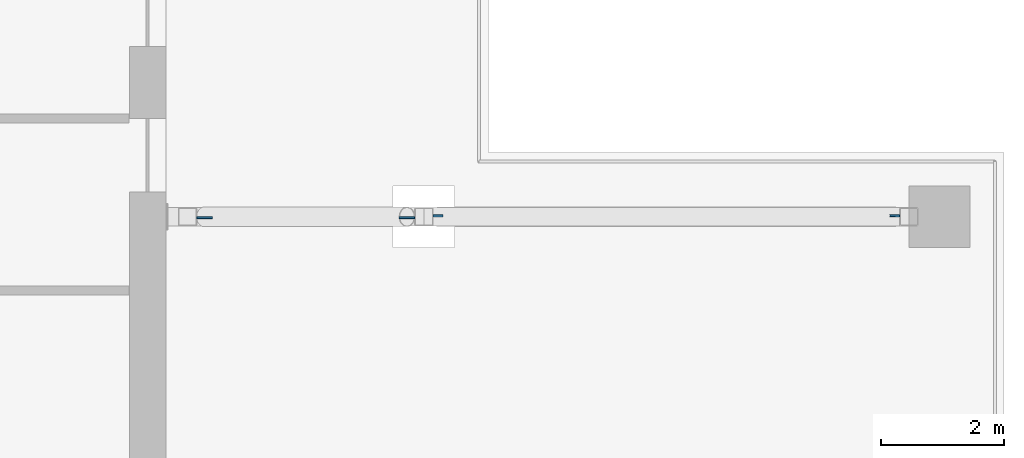
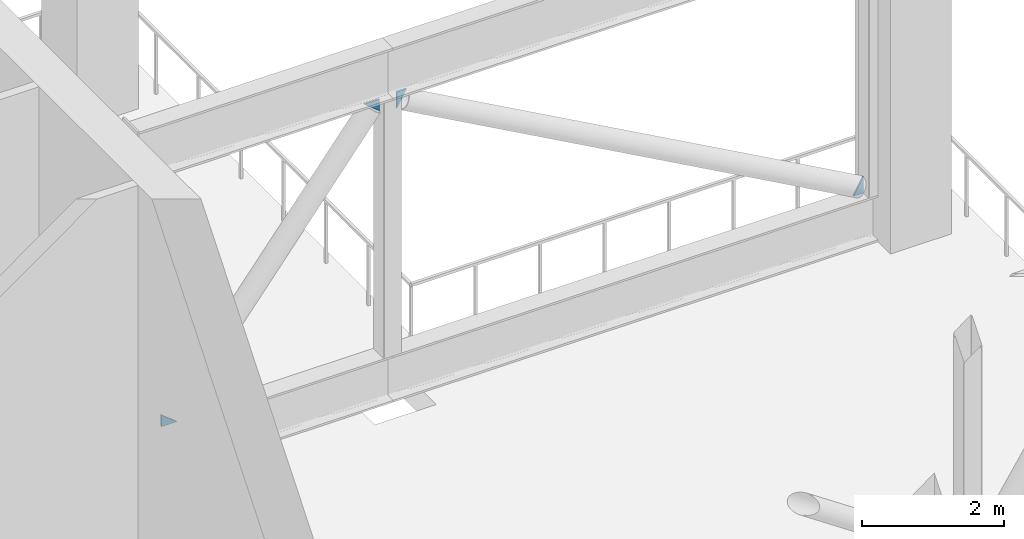
# One storey, part 16 of 24: 4 plates.
"""IFC4 building model written with IfcOpenShell, lengths in metres."""

from ifc_helpers import new_model, si_unit, direction, frame, origin, place, context, subcontext, project, spatial, polyline, outline, extrude, material, layer, layer_set, type_object, element, save


model = new_model("IFC4")

# Units and contexts
model_context = context("Model", 3, precision=1e-05, world=origin(), true_north=direction((0.0, 1.0)))
body_context = subcontext(model_context, "Body", "Model", "MODEL_VIEW")
ifc_project = project(units=[si_unit("LENGTHUNIT", "METRE"), si_unit("AREAUNIT", "SQUARE_METRE"), si_unit("VOLUMEUNIT", "CUBIC_METRE"), si_unit("PLANEANGLEUNIT", "RADIAN"), si_unit("MASSUNIT", "GRAM", prefix="KILO")], contexts=[model_context])

# Site, building, storey
site_placement = place(None, origin())
site = spatial("IfcSite", under=ifc_project, at=site_placement, CompositionType="ELEMENT")
building_placement = place(site_placement, origin())
building = spatial("IfcBuilding", under=site, at=building_placement, Name="Vermilion Ogive Tower", CompositionType="ELEMENT")
storey_placement = place(building_placement, frame((0.0, 0.0, 216.949951171875)))
storey = spatial("IfcBuildingStorey", under=building, at=storey_placement, Name="L57", CompositionType="ELEMENT", Elevation=216.949951171875)

# Plates
ifc_material = material(Name="Steel S355", Category="steel")
ifc_layer = layer(ifc_material, 0.030029296875)
ifc_layer_set = layer_set([ifc_layer], Name="Truss gusset plate 30")
plate_type = type_object("IfcPlateType", Name="Truss gusset plate 30", PredefinedType="USERDEFINED", material=ifc_layer_set)
for number, where, z_axis, x_axis, name in (
    (1, (13.10009765625, 12.60009765625, 1.001220703125), (0.0, 1.0, 0.0), (0.782341531663, 0.0, -0.622849683179), "Gusset plate L57-TR-EWE+12.6-D0A"),
    (2, (16.64990234375, 12.60009765625, 4.998779296875), (0.0, 1.0, 0.0), (-0.782341531663, 0.0, 0.622849683179), "Gusset plate L57-TR-EWE+12.6-D0B"),
):
    element("IfcPlate", number, at=place(storey_placement, frame(where, z_axis=z_axis, x_axis=x_axis)), inside=storey, type_object=plate_type, Name=name, ObjectType="GUSSET PLATE", PredefinedType="USERDEFINED", context=body_context, shape_type="SweptSolid", body=[
        extrude(outline(polyline([(0.0, 0.0), (0.32298623637940593, 0.0), (0.125299838608219, 0.15738511281493528), (0.0, 0.0)])), origin(), (0.0, 0.0, -1.0), 0.030029296875),
    ])
for number, where, z_axis, x_axis, name in (
    (3, (16.949951171875, 12.60009765625, 4.918701171875), (0.0, -1.0, 0.0), (0.492555038891, 0.0, 0.87028129571), "Gusset plate L57-TR-EWE+12.6-D1A"),
    (4, (24.550048828125, 12.60009765625, 1.081298828125), (0.0, -1.0, 0.0), (-0.492555038891, 0.0, -0.87028129571), "Gusset plate L57-TR-EWE+12.6-D1B"),
):
    element("IfcPlate", number, at=place(storey_placement, frame(where, z_axis=z_axis, x_axis=x_axis)), inside=storey, type_object=plate_type, Name=name, ObjectType="GUSSET PLATE", PredefinedType="USERDEFINED", context=body_context, shape_type="SweptSolid", body=[
        extrude(outline(polyline([(0.0, 0.0), (0.3231713715857233, 0.0), (0.24476661441843647, 0.1385311046882123), (0.0, 0.0)])), origin(), (0.0, 0.0, -1.0), 0.030029296875),
    ])

save(model, "model.ifc")
